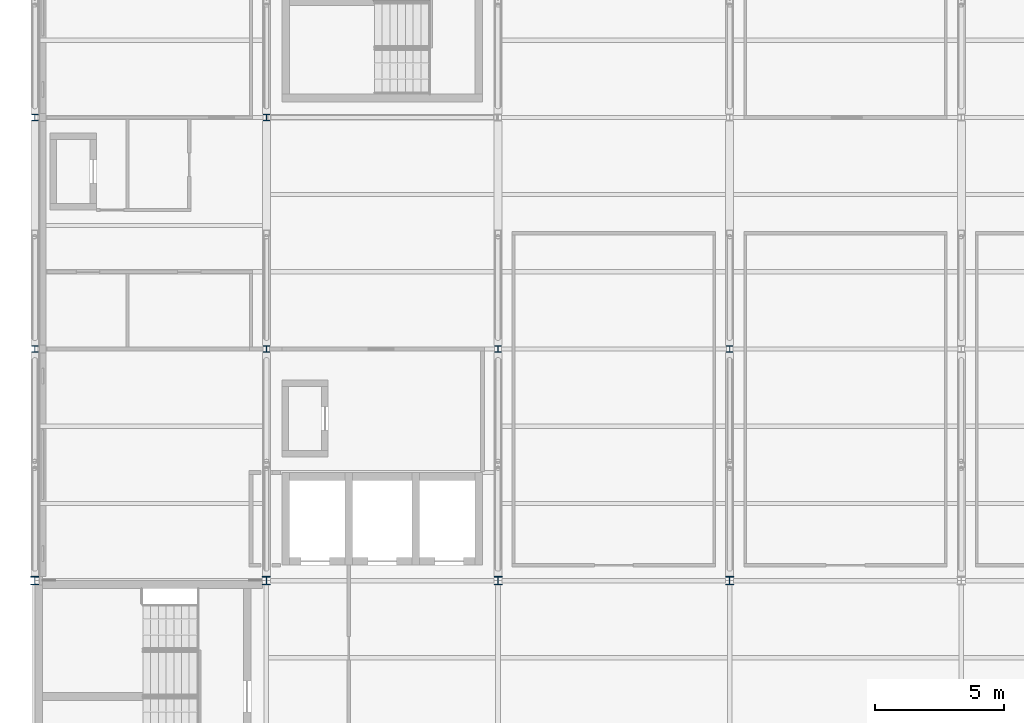
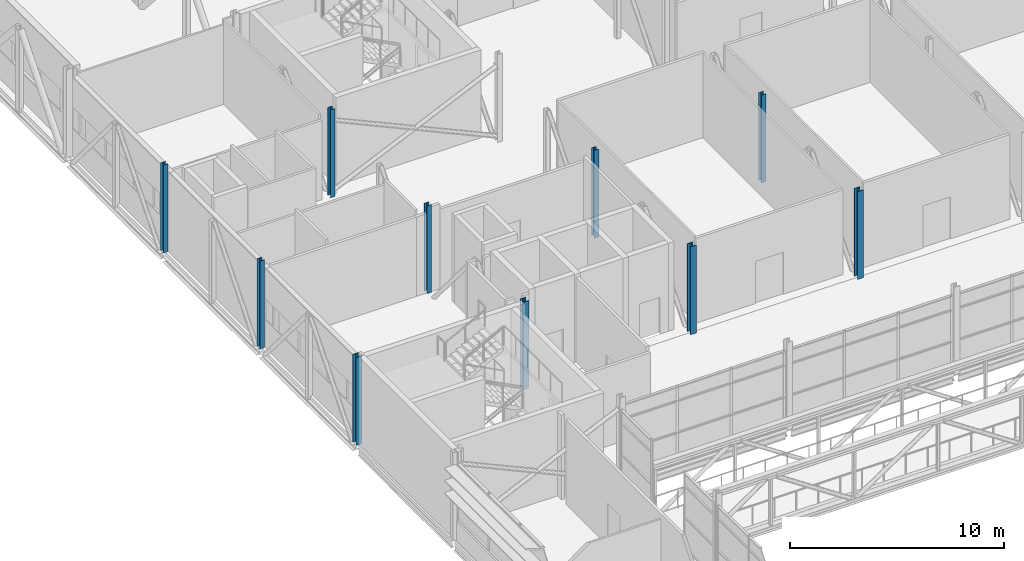
# One storey, part 5 of 94: 10 columns.
"""IFC4 building model written with IfcOpenShell, lengths in metres."""

from ifc_helpers import new_model, si_unit, direction, frame, origin, origin_2d, place, context, subcontext, project, spatial, i_section, extrude, material, material_profile, profile_set, type_object, element, save


model = new_model("IFC4")

# Units and contexts
model_context = context("Model", 3, precision=1e-05, world=origin(), true_north=direction((0.0, 1.0)))
body_context = subcontext(model_context, "Body", "Model", "MODEL_VIEW")
ifc_project = project(units=[si_unit("LENGTHUNIT", "METRE"), si_unit("AREAUNIT", "SQUARE_METRE"), si_unit("VOLUMEUNIT", "CUBIC_METRE"), si_unit("PLANEANGLEUNIT", "RADIAN"), si_unit("MASSUNIT", "GRAM", prefix="KILO")], contexts=[model_context])

# Site, building, storey
site_placement = place(None, origin())
site = spatial("IfcSite", under=ifc_project, at=site_placement, CompositionType="ELEMENT")
building_placement = place(site_placement, origin())
building = spatial("IfcBuilding", under=site, at=building_placement, Name="Shorebreak Coast Museum", CompositionType="ELEMENT")
storey_placement = place(building_placement, frame((0.0, 0.0, 31.0)))
storey = spatial("IfcBuildingStorey", under=building, at=storey_placement, Name="L05", CompositionType="ELEMENT", Elevation=31.0)

# Columns
ifc_material_1 = material(Name="Steel Grade 300", Category="steel")
ifc_material_profile_1 = material_profile(ifc_material_1, i_section(OverallWidth=0.25390625, OverallDepth=0.25390625, WebThickness=0.008544921875, FlangeThickness=0.01416015625, FilletRadius=0.013916015625, at=origin_2d()), Name="250UC72.9")
ifc_profile_set_1 = profile_set([ifc_material_profile_1], Name="Steel Grade 300")
column_type_1 = type_object("IfcColumnType", Name="Column 250UC72.9", PredefinedType="COLUMN", material=ifc_profile_set_1)
for number, where, z_axis, x_axis, name in (
    (1, (54.0, 99.0, 0.0), (0.0, 0.0, 1.0), (1.0, 0.0, 0.0), "Column L05 7M"),
    (2, (63.0, 99.0, 0.0), (0.0, 0.0, 1.0), (1.0, 0.0, 0.0), "Column L05 8M"),
    (3, (72.0, 99.0, 0.0), (0.0, 0.0, 1.0), (1.0, 0.0, 0.0), "Column L05 9M"),
    (4, (81.0, 99.0, 0.0), (0.0, 0.0, 1.0), (1.0, 0.0, 0.0), "Column L05 10M"),
    (5, (54.0, 108.0, 0.0), (0.0, 0.0, 1.0), (1.0, 0.0, 0.0), "Column L05 7N"),
    (6, (63.0, 108.0, 0.0), (0.0, 0.0, 1.0), (1.0, 0.0, 0.0), "Column L05 8N"),
):
    element("IfcColumn", number, at=place(storey_placement, frame(where, z_axis=z_axis, x_axis=x_axis)), inside=storey, type_object=column_type_1, Name=name, PredefinedType="COLUMN", context=body_context, shape_type="SweptSolid", body=[
        extrude(i_section(OverallWidth=0.25390625, OverallDepth=0.25390625, WebThickness=0.008544921875, FlangeThickness=0.01416015625, FilletRadius=0.013916015625, at=origin_2d()), origin(), (0.0, 0.0, 1.0), 5.0),
    ])
ifc_material_2 = material(Name="Steel Grade 300", Category="steel")
ifc_material_profile_2 = material_profile(ifc_material_2, i_section(OverallWidth=0.31103515625, OverallDepth=0.3271484375, WebThickness=0.015625, FlangeThickness=0.02490234375, FilletRadius=0.0166015625, at=origin_2d()), Name="310UC158")
ifc_profile_set_2 = profile_set([ifc_material_profile_2], Name="Steel Grade 300")
column_type_2 = type_object("IfcColumnType", Name="Column 310UC158", PredefinedType="COLUMN", material=ifc_profile_set_2)
for number, where, z_axis, x_axis, name in (
    (7, (54.0, 90.0, 0.0), (0.0, 0.0, 1.0), (1.0, 0.0, 0.0), "Column L05 7L"),
    (8, (63.0, 90.0, 0.0), (0.0, 0.0, 1.0), (1.0, 0.0, 0.0), "Column L05 8L"),
    (9, (72.0, 90.0, 0.0), (0.0, 0.0, 1.0), (1.0, 0.0, 0.0), "Column L05 9L"),
    (10, (81.0, 90.0, 0.0), (0.0, 0.0, 1.0), (1.0, 0.0, 0.0), "Column L05 10L"),
):
    element("IfcColumn", number, at=place(storey_placement, frame(where, z_axis=z_axis, x_axis=x_axis)), inside=storey, type_object=column_type_2, Name=name, PredefinedType="COLUMN", context=body_context, shape_type="SweptSolid", body=[
        extrude(i_section(OverallWidth=0.31103515625, OverallDepth=0.3271484375, WebThickness=0.015625, FlangeThickness=0.02490234375, FilletRadius=0.0166015625, at=origin_2d()), origin(), (0.0, 0.0, 1.0), 5.0),
    ])

save(model, "model.ifc")
